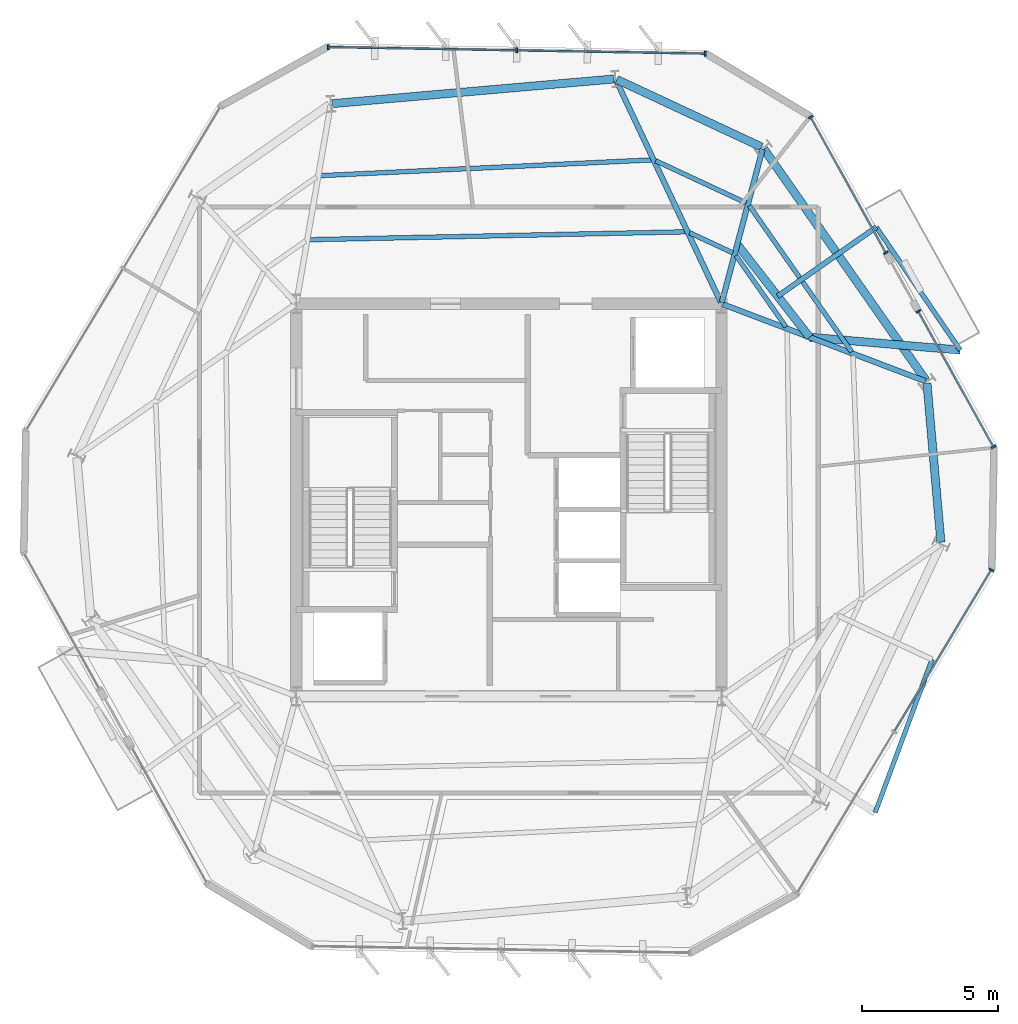
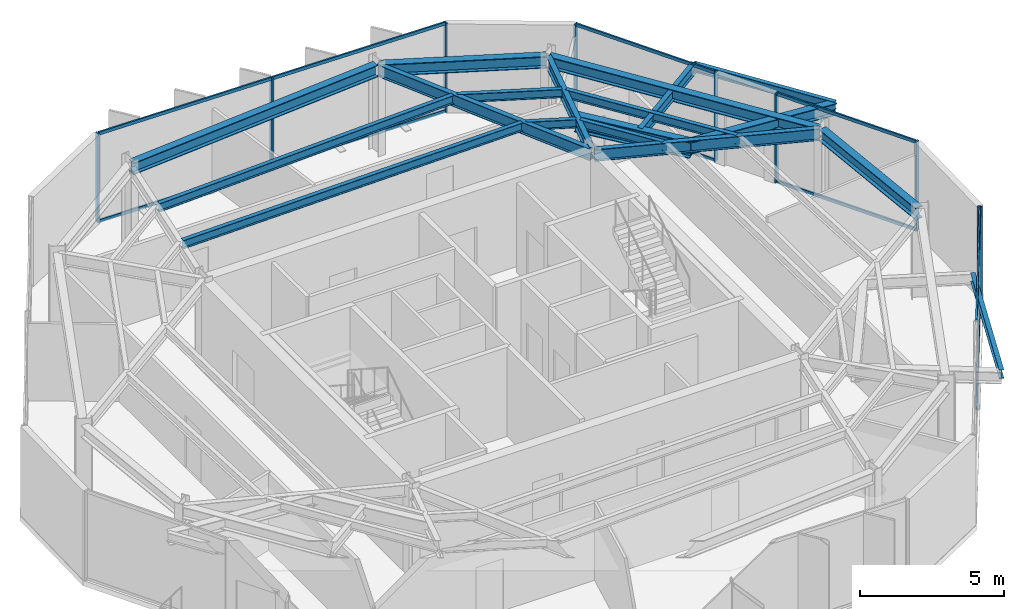
# One storey, part 5 of 10: 18 beams, 18 members, 4 elements without a shape of their own.
"""IFC4 building model written with IfcOpenShell, lengths in metres."""

from ifc_helpers import new_model, si_unit, direction, frame, origin, origin_2d, place, context, subcontext, project, spatial, rectangle, i_section, extrude, material, layer, layer_set, material_profile, profile_set, type_object, element, aggregate, save


model = new_model("IFC4")

# Units and contexts
model_context = context("Model", 3, precision=1e-05, world=origin(), true_north=direction((0.0, 1.0)))
body_context = subcontext(model_context, "Body", "Model", "MODEL_VIEW")
ifc_project = project(units=[si_unit("LENGTHUNIT", "METRE"), si_unit("AREAUNIT", "SQUARE_METRE"), si_unit("VOLUMEUNIT", "CUBIC_METRE"), si_unit("PLANEANGLEUNIT", "RADIAN"), si_unit("MASSUNIT", "GRAM", prefix="KILO")], contexts=[model_context])

# Site, building, storey
site_placement = place(None, origin())
site = spatial("IfcSite", under=ifc_project, at=site_placement, CompositionType="ELEMENT")
building_placement = place(site_placement, origin())
building = spatial("IfcBuilding", under=site, at=building_placement, Name="Kranzbogen Civic Tower", CompositionType="ELEMENT")
storey_placement = place(building_placement, frame((0.0, 0.0, 262.199951171875)))
storey = spatial("IfcBuildingStorey", under=building, at=storey_placement, Name="L63", CompositionType="ELEMENT", Elevation=262.199951171875)

# Beam
ifc_material_1 = material(Name="Steel S355", Category="steel")
ifc_material_profile_1 = material_profile(ifc_material_1, i_section(OverallWidth=0.18994140625, OverallDepth=0.449951171875, WebThickness=0.009521484375, FlangeThickness=0.0146484375, at=origin_2d()), Name="IPE 450")
ifc_profile_set_1 = profile_set([ifc_material_profile_1], Name="Steel S355")
beam_type_1 = type_object("IfcBeamType", Name="Braced Terrace Edge Beam IPE 450", PredefinedType="BEAM", material=ifc_profile_set_1)
beam_1_placement = place(storey_placement, frame((34.861083984375, 32.47509765625, 3.525146484375), z_axis=(0.819187768646, 0.5735254133, 0.0), x_axis=(-0.5735254133, 0.819187768646, 0.0)))
element("IfcBeam", 1, at=beam_1_placement, inside=storey, type_object=beam_type_1, Name="L64 back-spanned terrace beam L64-TB2-2", PredefinedType="BEAM", context=body_context, shape_type="SweptSolid", body=[
    extrude(i_section(OverallWidth=0.18994140625, OverallDepth=0.449951171875, WebThickness=0.009521484375, FlangeThickness=0.0146484375, at=origin_2d()), origin(), (0.0, 0.0, 1.0), 4.41650390625),
])

# Curtain wall, members
ifc_material_2 = material(Name="Pale Anodised Aluminium", Category="aluminium")
ifc_layer = layer(ifc_material_2, 0.219970703125, Name="Pale Anodised Aluminium")
ifc_layer_set = layer_set([ifc_layer], Name="Pale Anodised Aluminium")
curtain_wall_type = type_object("IfcCurtainWallType", Name="Zone 4 Stick Curtain Wall System CW-05", PredefinedType="USERDEFINED", material=ifc_layer_set)
curtain_wall_1_placement = place(storey_placement, origin())
curtain_wall_1 = element("IfcCurtainWall", 2, at=curtain_wall_1_placement, inside=storey, type_object=curtain_wall_type, Name="L63 curtain wall CW-L63-F1", ObjectType="STICK CURTAIN WALL", PredefinedType="USERDEFINED")
ifc_material_profile_2 = material_profile(ifc_material_2, rectangle(XDim=0.06494140625, YDim=0.179931640625, at=origin_2d()), Name="ALU-M 65x180")
ifc_profile_set_2 = profile_set([ifc_material_profile_2], Name="Pale Anodised Aluminium")
member_type_1 = type_object("IfcMemberType", Name="Curtain Wall Mullion ALU-M 65x180", PredefinedType="MULLION", material=ifc_profile_set_2)
member_1_placement = place(storey_placement, frame((32.201904296875, 41.37255859375, 0.0), z_axis=(0.0, 0.0, 1.0), x_axis=(-0.999846982569, 0.017493182866, 0.0)))
member_1 = element("IfcMember", 3, at=member_1_placement, type_object=member_type_1, Name="CW-05 mullion 1", PredefinedType="MULLION", context=body_context, shape_type="SweptSolid", body=[
    extrude(rectangle(XDim=0.06494140625, YDim=0.179931640625, at=origin_2d()), origin(), (0.0, 0.0, 1.0), 3.780029296875),
])
member_2_placement = place(storey_placement, frame((25.28759765625, 41.493408203125, 0.0), z_axis=(0.0, 0.0, 1.0), x_axis=(-0.999846982569, 0.017493182866, 0.0)))
member_2 = element("IfcMember", 4, at=member_2_placement, type_object=member_type_1, Name="CW-05 mullion 2", PredefinedType="MULLION", context=body_context, shape_type="SweptSolid", body=[
    extrude(rectangle(XDim=0.06494140625, YDim=0.179931640625, at=origin_2d()), origin(), (0.0, 0.0, 1.0), 3.780029296875),
])
member_3_placement = place(storey_placement, frame((18.373046875, 41.614501953125, 0.0), z_axis=(0.0, 0.0, 1.0), x_axis=(-0.999846982569, 0.017493182866, 0.0)))
member_3 = element("IfcMember", 5, at=member_3_placement, type_object=member_type_1, Name="CW-05 mullion 3", PredefinedType="MULLION", context=body_context, shape_type="SweptSolid", body=[
    extrude(rectangle(XDim=0.06494140625, YDim=0.179931640625, at=origin_2d()), origin(), (0.0, 0.0, 1.0), 3.780029296875),
])

# Curtain wall, member
curtain_wall_2_placement = place(storey_placement, origin())
curtain_wall_2 = element("IfcCurtainWall", 6, at=curtain_wall_2_placement, inside=storey, type_object=curtain_wall_type, Name="L63 curtain wall CW-L63-F5", ObjectType="STICK CURTAIN WALL", PredefinedType="USERDEFINED")
member_4_placement = place(storey_placement, frame((42.70166015625, 22.432373046875, 0.0), z_axis=(0.0, 0.0, 1.0), x_axis=(0.515035522979, 0.857168834052, 0.0)))
member_4 = element("IfcMember", 7, at=member_4_placement, type_object=member_type_1, Name="CW-05 mullion 3", PredefinedType="MULLION", context=body_context, shape_type="SweptSolid", body=[
    extrude(rectangle(XDim=0.06494140625, YDim=0.179931640625, at=origin_2d()), origin(), (0.0, 0.0, 1.0), 3.780029296875),
])

# Curtain wall, members
curtain_wall_3_placement = place(storey_placement, origin())
curtain_wall_3 = element("IfcCurtainWall", 8, at=curtain_wall_3_placement, inside=storey, type_object=curtain_wall_type, Name="L63 curtain wall CW-L63-F6-S1", ObjectType="STICK CURTAIN WALL", PredefinedType="USERDEFINED")
member_5_placement = place(storey_placement, frame((42.780517578125, 26.9482421875, 0.0), z_axis=(0.0, 0.0, 1.0), x_axis=(-0.484815305317, 0.874616555829, 0.0)))
member_5 = element("IfcMember", 9, at=member_5_placement, type_object=member_type_1, Name="CW-05 mullion 1", PredefinedType="MULLION", context=body_context, shape_type="SweptSolid", body=[
    extrude(rectangle(XDim=0.06494140625, YDim=0.179931640625, at=origin_2d()), origin(), (0.0, 0.0, 1.0), 3.780029296875),
])
member_6_placement = place(storey_placement, frame((40.0234375, 31.921875, 0.0), z_axis=(0.0, 0.0, 1.0), x_axis=(-0.484815305317, 0.874616555829, 0.0)))
member_6 = element("IfcMember", 10, at=member_6_placement, type_object=member_type_1, Name="CW-05 mullion 2", PredefinedType="MULLION", context=body_context, shape_type="SweptSolid", body=[
    extrude(rectangle(XDim=0.06494140625, YDim=0.179931640625, at=origin_2d()), origin(), (0.0, 0.0, 1.0), 3.780029296875),
])

curtain_wall_4_placement = place(storey_placement, origin())
curtain_wall_4 = element("IfcCurtainWall", 11, at=curtain_wall_4_placement, inside=storey, type_object=curtain_wall_type, Name="L63 curtain wall CW-L63-F6-S2", ObjectType="STICK CURTAIN WALL", PredefinedType="USERDEFINED")
member_7_placement = place(storey_placement, frame((38.83154296875, 34.0732421875, 0.0), z_axis=(0.0, 0.0, 1.0), x_axis=(-0.484815305317, 0.874616555829, 0.0)))
member_7 = element("IfcMember", 12, at=member_7_placement, type_object=member_type_1, Name="CW-05 mullion 1", PredefinedType="MULLION", context=body_context, shape_type="SweptSolid", body=[
    extrude(rectangle(XDim=0.06494140625, YDim=0.179931640625, at=origin_2d()), origin(), (0.0, 0.0, 1.0), 3.780029296875),
])
member_8_placement = place(storey_placement, frame((36.074462890625, 39.046875, 0.0), z_axis=(0.0, 0.0, 1.0), x_axis=(-0.484815305317, 0.874616555829, 0.0)))
member_8 = element("IfcMember", 13, at=member_8_placement, type_object=member_type_1, Name="CW-05 mullion 2", PredefinedType="MULLION", context=body_context, shape_type="SweptSolid", body=[
    extrude(rectangle(XDim=0.06494140625, YDim=0.179931640625, at=origin_2d()), origin(), (0.0, 0.0, 1.0), 3.780029296875),
])

# Member
ifc_material_profile_3 = material_profile(ifc_material_2, rectangle(XDim=0.06494140625, YDim=0.135009765625, at=origin_2d()), Name="ALU-T 65x135")
ifc_profile_set_3 = profile_set([ifc_material_profile_3], Name="Pale Anodised Aluminium")
member_type_2 = type_object("IfcMemberType", Name="Curtain Wall Transom ALU-T 65x135", PredefinedType="USERDEFINED", material=ifc_profile_set_3)
member_9_placement = place(storey_placement, frame((32.172119140625, 41.373046875, 0.030029296875), z_axis=(-0.999847126578, 0.017484949929, 0.0), x_axis=(-0.017484949929, -0.999847126578, 0.0)))
member_9 = element("IfcMember", 14, at=member_9_placement, type_object=member_type_2, Name="CW-05 transom 1.1", ObjectType="TRANSOM", PredefinedType="USERDEFINED", context=body_context, shape_type="SweptSolid", body=[
    extrude(rectangle(XDim=0.06494140625, YDim=0.135009765625, at=origin_2d()), origin(), (0.0, 0.0, 1.0), 6.855712890625),
])

member_10_placement = place(storey_placement, frame((32.172119140625, 41.373046875, 3.75), z_axis=(-0.999847126578, 0.017484949929, 0.0), x_axis=(-0.017484949929, -0.999847126578, 0.0)))
member_10 = element("IfcMember", 15, at=member_10_placement, type_object=member_type_2, Name="CW-05 transom 1.2", ObjectType="TRANSOM", PredefinedType="USERDEFINED", context=body_context, shape_type="SweptSolid", body=[
    extrude(rectangle(XDim=0.06494140625, YDim=0.135009765625, at=origin_2d()), origin(), (0.0, 0.0, 1.0), 6.855712890625),
])

member_11_placement = place(storey_placement, frame((25.257568359375, 41.494140625, 0.030029296875), z_axis=(-0.99984711569, 0.01748557251, 0.0), x_axis=(-0.01748557251, -0.99984711569, 0.0)))
member_11 = element("IfcMember", 16, at=member_11_placement, type_object=member_type_2, Name="CW-05 transom 2.1", ObjectType="TRANSOM", PredefinedType="USERDEFINED", context=body_context, shape_type="SweptSolid", body=[
    extrude(rectangle(XDim=0.06494140625, YDim=0.135009765625, at=origin_2d()), origin(), (0.0, 0.0, 1.0), 6.85546875),
])

member_12_placement = place(storey_placement, frame((25.257568359375, 41.494140625, 3.75), z_axis=(-0.99984711569, 0.01748557251, 0.0), x_axis=(-0.01748557251, -0.99984711569, 0.0)))
member_12 = element("IfcMember", 17, at=member_12_placement, type_object=member_type_2, Name="CW-05 transom 2.2", ObjectType="TRANSOM", PredefinedType="USERDEFINED", context=body_context, shape_type="SweptSolid", body=[
    extrude(rectangle(XDim=0.06494140625, YDim=0.135009765625, at=origin_2d()), origin(), (0.0, 0.0, 1.0), 6.85546875),
])

aggregate(curtain_wall_1, [member_1, member_2, member_3, member_9, member_10, member_11, member_12])

member_13_placement = place(storey_placement, frame((39.155029296875, 16.52978515625, 0.030029296875), z_axis=(0.515029808073, 0.857172267865, 0.0), x_axis=(-0.857172267865, 0.515029808073, 0.0)))
member_13 = element("IfcMember", 18, at=member_13_placement, type_object=member_type_2, Name="CW-05 transom 2.1", ObjectType="TRANSOM", PredefinedType="USERDEFINED", context=body_context, shape_type="SweptSolid", body=[
    extrude(rectangle(XDim=0.06494140625, YDim=0.135009765625, at=origin_2d()), origin(), (0.0, 0.0, 1.0), 6.85595703125),
])

member_14_placement = place(storey_placement, frame((39.155029296875, 16.52978515625, 3.75), z_axis=(0.515029808073, 0.857172267865, 0.0), x_axis=(-0.857172267865, 0.515029808073, 0.0)))
member_14 = element("IfcMember", 19, at=member_14_placement, type_object=member_type_2, Name="CW-05 transom 2.2", ObjectType="TRANSOM", PredefinedType="USERDEFINED", context=body_context, shape_type="SweptSolid", body=[
    extrude(rectangle(XDim=0.06494140625, YDim=0.135009765625, at=origin_2d()), origin(), (0.0, 0.0, 1.0), 6.85595703125),
])

aggregate(curtain_wall_2, [member_4, member_13, member_14])

member_15_placement = place(storey_placement, frame((42.765869140625, 26.974365234375, 0.030029296875), z_axis=(-0.484802731222, 0.874623525753, 0.0), x_axis=(-0.874623525753, -0.484802731222, 0.0)))
member_15 = element("IfcMember", 20, at=member_15_placement, type_object=member_type_2, Name="CW-05 transom 1.1", ObjectType="TRANSOM", PredefinedType="USERDEFINED", context=body_context, shape_type="SweptSolid", body=[
    extrude(rectangle(XDim=0.06494140625, YDim=0.135009765625, at=origin_2d()), origin(), (0.0, 0.0, 1.0), 5.62646484375),
])

member_16_placement = place(storey_placement, frame((42.765869140625, 26.974365234375, 3.75), z_axis=(-0.484802731222, 0.874623525753, 0.0), x_axis=(-0.874623525753, -0.484802731222, 0.0)))
member_16 = element("IfcMember", 21, at=member_16_placement, type_object=member_type_2, Name="CW-05 transom 1.2", ObjectType="TRANSOM", PredefinedType="USERDEFINED", context=body_context, shape_type="SweptSolid", body=[
    extrude(rectangle(XDim=0.06494140625, YDim=0.135009765625, at=origin_2d()), origin(), (0.0, 0.0, 1.0), 5.62646484375),
])

aggregate(curtain_wall_3, [member_5, member_6, member_15, member_16])

member_17_placement = place(storey_placement, frame((38.81689453125, 34.099365234375, 0.030029296875), z_axis=(-0.484802731222, 0.874623525753, 0.0), x_axis=(-0.874623525753, -0.484802731222, 0.0)))
member_17 = element("IfcMember", 22, at=member_17_placement, type_object=member_type_2, Name="CW-05 transom 1.1", ObjectType="TRANSOM", PredefinedType="USERDEFINED", context=body_context, shape_type="SweptSolid", body=[
    extrude(rectangle(XDim=0.06494140625, YDim=0.135009765625, at=origin_2d()), origin(), (0.0, 0.0, 1.0), 5.62646484375),
])

member_18_placement = place(storey_placement, frame((38.81689453125, 34.099365234375, 3.75), z_axis=(-0.484802731222, 0.874623525753, 0.0), x_axis=(-0.874623525753, -0.484802731222, 0.0)))
member_18 = element("IfcMember", 23, at=member_18_placement, type_object=member_type_2, Name="CW-05 transom 1.2", ObjectType="TRANSOM", PredefinedType="USERDEFINED", context=body_context, shape_type="SweptSolid", body=[
    extrude(rectangle(XDim=0.06494140625, YDim=0.135009765625, at=origin_2d()), origin(), (0.0, 0.0, 1.0), 5.62646484375),
])

aggregate(curtain_wall_4, [member_7, member_8, member_17, member_18])

# Beams
ifc_material_profile_4 = material_profile(ifc_material_1, i_section(OverallWidth=0.300048828125, OverallDepth=0.5, WebThickness=0.014404296875, FlangeThickness=0.028076171875, at=origin_2d()), Name="HEB 500")
ifc_profile_set_4 = profile_set([ifc_material_profile_4], Name="Steel S355")
beam_type_2 = type_object("IfcBeamType", Name="Perimeter Tube Spandrel Beam HEB 500", PredefinedType="SPANDREL", material=ifc_profile_set_4)
beam_2_placement = place(storey_placement, frame((40.85009765625, 23.449951171875, 3.530029296875), z_axis=(-0.087326362434, 0.99617975608, 0.0), x_axis=(-0.99617975608, -0.087326362434, 0.0)))
element("IfcBeam", 24, at=beam_2_placement, inside=storey, type_object=beam_type_2, Name="L63 perimeter spandrel beam 06", PredefinedType="SPANDREL", context=body_context, shape_type="SweptSolid", body=[
    extrude(i_section(OverallWidth=0.300048828125, OverallDepth=0.5, WebThickness=0.014404296875, FlangeThickness=0.028076171875, at=origin_2d()), origin(), (0.0, 0.0, 1.0), 5.8515625),
])
beam_3_placement = place(storey_placement, frame((40.300048828125, 29.387939453125, 3.530029296875), z_axis=(-0.573577759301, 0.819151117948, 0.0), x_axis=(-0.819151117948, -0.573577759301, 0.0)))
element("IfcBeam", 25, at=beam_3_placement, inside=storey, type_object=beam_type_2, Name="L63 perimeter spandrel beam 07", PredefinedType="SPANDREL", context=body_context, shape_type="SweptSolid", body=[
    extrude(i_section(OverallWidth=0.300048828125, OverallDepth=0.5, WebThickness=0.014404296875, FlangeThickness=0.028076171875, at=origin_2d()), origin(), (0.0, 0.0, 1.0), 10.36328125),
])
beam_4_placement = place(storey_placement, frame((34.26806640625, 37.950927734375, 3.530029296875), z_axis=(-0.906289661556, 0.422657129784, 0.0), x_axis=(-0.422657129784, -0.906289661556, 0.0)))
element("IfcBeam", 26, at=beam_4_placement, inside=storey, type_object=beam_type_2, Name="L63 perimeter spandrel beam 08", PredefinedType="SPANDREL", context=body_context, shape_type="SweptSolid", body=[
    extrude(i_section(OverallWidth=0.300048828125, OverallDepth=0.5, WebThickness=0.014404296875, FlangeThickness=0.028076171875, at=origin_2d()), origin(), (0.0, 0.0, 1.0), 5.853759765625),
])
beam_5_placement = place(storey_placement, frame((28.84912109375, 40.445068359375, 3.530029296875), z_axis=(-0.996186373839, -0.087250837114, 0.0), x_axis=(0.087250837114, -0.996186373839, 0.0)))
element("IfcBeam", 27, at=beam_5_placement, inside=storey, type_object=beam_type_2, Name="L63 perimeter spandrel beam 09", PredefinedType="SPANDREL", context=body_context, shape_type="SweptSolid", body=[
    extrude(i_section(OverallWidth=0.300048828125, OverallDepth=0.5, WebThickness=0.014404296875, FlangeThickness=0.028076171875, at=origin_2d()), origin(), (0.0, 0.0, 1.0), 10.361572265625),
])
beam_6_placement = place(storey_placement, frame((36.033935546875, 30.971923828125, 3.5), z_axis=(0.996357130753, -0.085278766394, 0.0), x_axis=(0.085278766394, 0.996357130753, 0.0)))
element("IfcBeam", 28, at=beam_6_placement, inside=storey, type_object=beam_type_2, Name="L64 back-spanned terrace beam L64-TB2-1", PredefinedType="SPANDREL", context=body_context, shape_type="SweptSolid", body=[
    extrude(i_section(OverallWidth=0.300048828125, OverallDepth=0.5, WebThickness=0.014404296875, FlangeThickness=0.028076171875, at=origin_2d()), origin(), (0.0, 0.0, 1.0), 5.54541015625),
])
ifc_material_profile_5 = material_profile(ifc_material_1, i_section(OverallWidth=0.300048828125, OverallDepth=0.699951171875, WebThickness=0.01708984375, FlangeThickness=0.031982421875, at=origin_2d()), Name="HEB 700")
ifc_profile_set_5 = profile_set([ifc_material_profile_5], Name="Steel S355")
beam_type_3 = type_object("IfcBeamType", Name="Perimeter Tube Spandrel Beam HEB 700", PredefinedType="SPANDREL", material=ifc_profile_set_5)
beam_7_placement = place(storey_placement, frame((36.033935546875, 30.971923828125, 3.400146484375), z_axis=(-0.615153431403, 0.788407417414, 0.0), x_axis=(-0.788407417414, -0.615153431403, 0.0)))
element("IfcBeam", 29, at=beam_7_placement, inside=storey, type_object=beam_type_3, Name="L64 balcony back-span header girder L64-TB2", PredefinedType="SPANDREL", context=body_context, shape_type="SweptSolid", body=[
    extrude(i_section(OverallWidth=0.300048828125, OverallDepth=0.699951171875, WebThickness=0.01708984375, FlangeThickness=0.031982421875, at=origin_2d()), origin(), (0.0, 0.0, 1.0), 4.317626953125),
])
ifc_material_profile_6 = material_profile(ifc_material_1, i_section(OverallWidth=0.199951171875, OverallDepth=0.5, WebThickness=0.01025390625, FlangeThickness=0.01611328125, at=origin_2d()), Name="IPE 500")
ifc_profile_set_6 = profile_set([ifc_material_profile_6], Name="Steel S355")
beam_type_4 = type_object("IfcBeamType", Name="Radial Tower Floor Girder IPE 500", PredefinedType="BEAM", material=ifc_profile_set_6)
beam_8_placement = place(storey_placement, frame((40.278076171875, 29.360107421875, 3.530029296875), z_axis=(-0.934848709689, 0.355046320913, 0.0), x_axis=(-0.355046320913, -0.934848709689, 0.0)))
element("IfcBeam", 30, at=beam_8_placement, inside=storey, type_object=beam_type_4, Name="L63 radial floor girder 07", PredefinedType="BEAM", context=body_context, shape_type="SweptSolid", body=[
    extrude(i_section(OverallWidth=0.199951171875, OverallDepth=0.5, WebThickness=0.01025390625, FlangeThickness=0.01611328125, at=origin_2d()), origin(), (0.0, 0.0, 1.0), 7.939453125),
])
beam_9_placement = place(storey_placement, frame((34.306884765625, 37.867919921875, 3.530029296875), z_axis=(-0.257016017622, -0.966407143333, 0.0), x_axis=(0.966407143333, -0.257016017622, 0.0)))
element("IfcBeam", 31, at=beam_9_placement, inside=storey, type_object=beam_type_4, Name="L63 radial floor girder 08", PredefinedType="BEAM", context=body_context, shape_type="SweptSolid", body=[
    extrude(i_section(OverallWidth=0.199951171875, OverallDepth=0.5, WebThickness=0.01025390625, FlangeThickness=0.01611328125, at=origin_2d()), origin(), (0.0, 0.0, 1.0), 5.804931640625),
])
beam_10_placement = place(storey_placement, frame((28.93505859375, 40.39599609375, 3.530029296875), z_axis=(0.426460441273, -0.904506214478, 0.0), x_axis=(0.904506214478, 0.426460441273, 0.0)))
element("IfcBeam", 32, at=beam_10_placement, inside=storey, type_object=beam_type_4, Name="L63 radial floor girder 09", PredefinedType="BEAM", context=body_context, shape_type="SweptSolid", body=[
    extrude(i_section(OverallWidth=0.199951171875, OverallDepth=0.5, WebThickness=0.01025390625, FlangeThickness=0.01611328125, at=origin_2d()), origin(), (0.0, 0.0, 1.0), 9.001708984375),
])
ifc_material_profile_7 = material_profile(ifc_material_1, i_section(OverallWidth=0.169921875, OverallDepth=0.360107421875, WebThickness=0.008056640625, FlangeThickness=0.0126953125, at=origin_2d()), Name="IPE 360")
ifc_profile_set_7 = profile_set([ifc_material_profile_7], Name="Steel S355")
beam_type_5 = type_object("IfcBeamType", Name="Secondary Composite Floor Joist IPE 360", PredefinedType="JOIST", material=ifc_profile_set_7)
beam_11_placement = place(storey_placement, frame((37.575927734375, 30.43408203125, 3.60009765625), z_axis=(-0.573499872939, 0.819205649235, 0.0), x_axis=(-0.819205649235, -0.573499872939, 0.0)))
element("IfcBeam", 33, at=beam_11_placement, inside=storey, type_object=beam_type_5, Name="L63 secondary floor joist 1.07", PredefinedType="JOIST", context=body_context, shape_type="SweptSolid", body=[
    extrude(i_section(OverallWidth=0.169921875, OverallDepth=0.360107421875, WebThickness=0.008056640625, FlangeThickness=0.0126953125, at=origin_2d()), origin(), (0.0, 0.0, 1.0), 6.549072265625),
])
beam_12_placement = place(storey_placement, frame((35.1650390625, 31.35009765625, 3.60009765625), z_axis=(-0.573498248491, 0.819206786457, 0.0), x_axis=(-0.819206786457, -0.573498248491, 0.0)))
element("IfcBeam", 34, at=beam_12_placement, inside=storey, type_object=beam_type_5, Name="L63 secondary floor joist 2.07", PredefinedType="JOIST", context=body_context, shape_type="SweptSolid", body=[
    extrude(i_section(OverallWidth=0.169921875, OverallDepth=0.360107421875, WebThickness=0.008056640625, FlangeThickness=0.0126953125, at=origin_2d()), origin(), (0.0, 0.0, 1.0), 3.194580078125),
])
beam_13_placement = place(storey_placement, frame((33.701904296875, 35.89794921875, 3.60009765625), z_axis=(-0.906303996948, 0.422626389517, 0.0), x_axis=(-0.422626389517, -0.906303996948, 0.0)))
element("IfcBeam", 35, at=beam_13_placement, inside=storey, type_object=beam_type_5, Name="L63 secondary floor joist 1.08", PredefinedType="JOIST", context=body_context, shape_type="SweptSolid", body=[
    extrude(i_section(OverallWidth=0.169921875, OverallDepth=0.360107421875, WebThickness=0.008056640625, FlangeThickness=0.0126953125, at=origin_2d()), origin(), (0.0, 0.0, 1.0), 3.6630859375),
])
beam_14_placement = place(storey_placement, frame((33.215087890625, 34.06591796875, 3.60009765625), z_axis=(-0.906432174342, 0.422351409751, 0.0), x_axis=(-0.422351409751, -0.906432174342, 0.0)))
element("IfcBeam", 36, at=beam_14_placement, inside=storey, type_object=beam_type_5, Name="L63 secondary floor joist 2.08", PredefinedType="JOIST", context=body_context, shape_type="SweptSolid", body=[
    extrude(i_section(OverallWidth=0.169921875, OverallDepth=0.360107421875, WebThickness=0.008056640625, FlangeThickness=0.0126953125, at=origin_2d()), origin(), (0.0, 0.0, 1.0), 1.751953125),
])
beam_15_placement = place(storey_placement, frame((30.22998046875, 37.47607421875, 3.60009765625), z_axis=(-0.998871634781, -0.047491654324, 0.0), x_axis=(0.047491654324, -0.998871634781, 0.0)))
element("IfcBeam", 37, at=beam_15_placement, inside=storey, type_object=beam_type_5, Name="L63 secondary floor joist 1.09", PredefinedType="JOIST", context=body_context, shape_type="SweptSolid", body=[
    extrude(i_section(OverallWidth=0.169921875, OverallDepth=0.360107421875, WebThickness=0.008056640625, FlangeThickness=0.0126953125, at=origin_2d()), origin(), (0.0, 0.0, 1.0), 12.152587890625),
])
beam_16_placement = place(storey_placement, frame((31.47509765625, 34.837890625, 3.60009765625), z_axis=(-0.999780746893, -0.020939392104, 0.0), x_axis=(0.020939392104, -0.999780746893, 0.0)))
element("IfcBeam", 38, at=beam_16_placement, inside=storey, type_object=beam_type_5, Name="L63 secondary floor joist 2.09", PredefinedType="JOIST", context=body_context, shape_type="SweptSolid", body=[
    extrude(i_section(OverallWidth=0.169921875, OverallDepth=0.360107421875, WebThickness=0.008056640625, FlangeThickness=0.0126953125, at=origin_2d()), origin(), (0.0, 0.0, 1.0), 13.79296875),
])
beam_17_placement = place(storey_placement, frame((41.55908203125, 30.4990234375, 3.570068359375), z_axis=(-0.564053854656, 0.825738002667, 0.0), x_axis=(-0.825738002667, -0.564053854656, 0.0)))
element("IfcBeam", 39, at=beam_17_placement, inside=storey, type_object=beam_type_5, Name="L64 terrace outer edge trimmer L64-TB2", PredefinedType="JOIST", context=body_context, shape_type="SweptSolid", body=[
    extrude(i_section(OverallWidth=0.169921875, OverallDepth=0.360107421875, WebThickness=0.008056640625, FlangeThickness=0.0126953125, at=origin_2d()), origin(), (0.0, 0.0, 1.0), 5.460693359375),
])
beam_18_placement = place(storey_placement, frame((38.43994140625, 13.5380859375, 3.5400390625), z_axis=(0.348682912133, 0.937240751774, 0.0), x_axis=(-0.937240751774, 0.348682912133, 0.0)))
element("IfcBeam", 40, at=beam_18_placement, inside=storey, type_object=beam_type_5, Name="L64 terrace outer edge trimmer L64-ST", PredefinedType="JOIST", context=body_context, shape_type="SweptSolid", body=[
    extrude(i_section(OverallWidth=0.169921875, OverallDepth=0.360107421875, WebThickness=0.008056640625, FlangeThickness=0.0126953125, at=origin_2d()), origin(), (0.0, 0.0, 1.0), 5.988525390625),
])

save(model, "model.ifc")
